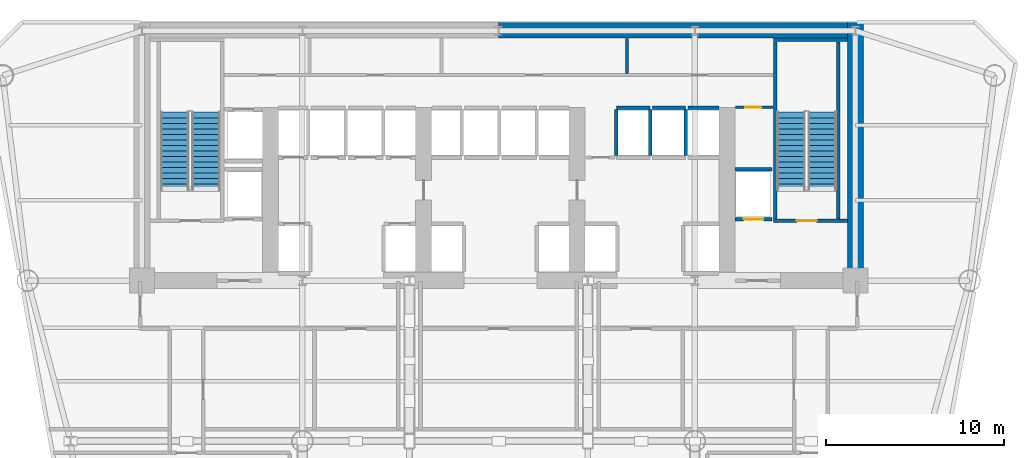
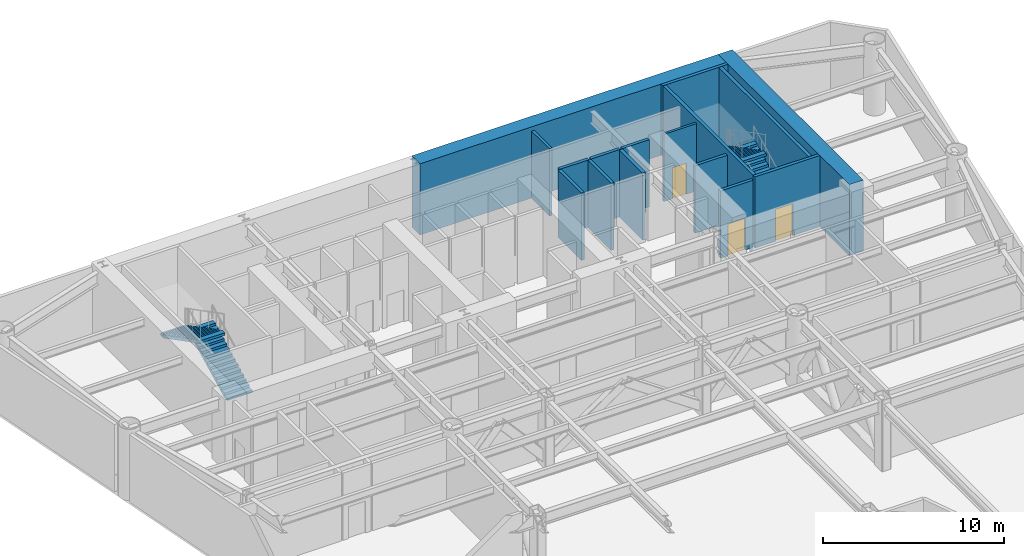
# One storey, part 6 of 10: 16 walls, 4 stair flights, 3 doors, 3 openings, 2 elements without a shape of their own.
"""IFC4 building model written with IfcOpenShell, lengths in metres."""

import ifcopenshell
import ifcopenshell.guid

model = None  # the IFC model being written
_history = None  # IfcOwnerHistory: only IFC2X3 demands one
_inside = {}  # id of a spatial element -> (the spatial element, [elements in it])
_under = {}  # id of a project, library or spatial element -> (it, [spatial elements below it])
_declared = {}  # id of a project -> (the project, [libraries it declares])
_typed = {}  # id of a type object -> (the type object, [elements of that type])
_made_of = {}  # id of a material, layer set ... -> (it, [elements and type objects made of it])


def new_model(schema):
    """Start an empty IFC model of exactly this schema.

    Asked for "IFC4X3", IfcOpenShell would pick the latest addendum, in which some entities
    have other attributes; the version numbers below select the first issue.
    IFC2X3 requires an IfcOwnerHistory on every rooted entity: one is made here for all.
    """
    global model, _history
    if schema == "IFC4X3":
        model = ifcopenshell.file(schema_version=(4, 3, 0, 0))
    else:
        model = ifcopenshell.file(schema=schema)
    _inside.clear()
    _under.clear()
    _declared.clear()
    _typed.clear()
    _made_of.clear()
    _history = None
    if model.schema == "IFC2X3":
        org = make("IfcOrganization", Name="unknown")
        user = make(
            "IfcPersonAndOrganization",
            ThePerson=make("IfcPerson", FamilyName="unknown"),
            TheOrganization=org,
        )
        app = make(
            "IfcApplication",
            ApplicationDeveloper=org,
            Version="unknown",
            ApplicationFullName="unknown",
            ApplicationIdentifier="unknown",
        )
        _history = make(
            "IfcOwnerHistory",
            OwningUser=user,
            OwningApplication=app,
            ChangeAction="ADDED",
            CreationDate=0,
        )
    return model


def make(cls, **values):
    """One entity of the class cls with the attributes given. An attribute that is None is left unset."""
    return model.create_entity(
        cls, **{name: value for name, value in values.items() if value is not None}
    )


def rooted(cls, **values):
    """An entity with a GlobalId (a new one), such as an element, a storey or a relation."""
    return make(cls, GlobalId=ifcopenshell.guid.new(), OwnerHistory=_history, **values)


def si_unit(unit_type, name, prefix=None):
    """IfcSIUnit, for example si_unit("LENGTHUNIT", "METRE", prefix="MILLI")."""
    return make("IfcSIUnit", UnitType=unit_type, Prefix=prefix, Name=name)


def assignment(units):
    """IfcUnitAssignment: the units of a project."""
    return None if units is None else make("IfcUnitAssignment", Units=units)


def point(xyz):
    """IfcCartesianPoint."""
    return None if xyz is None else make("IfcCartesianPoint", Coordinates=xyz)


def direction(xyz):
    """IfcDirection."""
    return None if xyz is None else make("IfcDirection", DirectionRatios=xyz)


def frame(location, z_axis=None, x_axis=None):
    """IfcAxis2Placement3D, a coordinate frame: its origin and axes. An axis left out is left unset."""
    return make(
        "IfcAxis2Placement3D",
        Location=point(location),
        Axis=direction(z_axis),
        RefDirection=direction(x_axis),
    )


def frame_2d(location, x_axis=None):
    """IfcAxis2Placement2D, a coordinate frame in the plane: its origin and x axis."""
    return make(
        "IfcAxis2Placement2D", Location=point(location), RefDirection=direction(x_axis)
    )


def origin():
    """The frame at (0, 0, 0) with its axes left unset."""
    return frame((0.0, 0.0, 0.0))


def place(relative_to, where):
    """IfcLocalPlacement: puts the frame where relative to a parent placement (None: the world)."""
    return make(
        "IfcLocalPlacement", PlacementRelTo=relative_to, RelativePlacement=where
    )


def context(
    kind, dimensions, precision=None, world=None, true_north=None, identifier=None
):
    """IfcGeometricRepresentationContext, for example the 3D "Model" context."""
    return make(
        "IfcGeometricRepresentationContext",
        ContextIdentifier=identifier,
        ContextType=kind,
        CoordinateSpaceDimension=dimensions,
        Precision=precision,
        WorldCoordinateSystem=world,
        TrueNorth=true_north,
    )


def subcontext(parent, identifier, kind, view, scale=None):
    """IfcGeometricRepresentationSubContext, for example "Body" below "Model"."""
    return make(
        "IfcGeometricRepresentationSubContext",
        ContextIdentifier=identifier,
        ContextType=kind,
        ParentContext=parent,
        TargetScale=scale,
        TargetView=view,
    )


def project(units=None, contexts=None):
    """IfcProject with its units and contexts."""
    return rooted(
        "IfcProject",
        Name="project",
        RepresentationContexts=contexts,
        UnitsInContext=assignment(units),
    )


def spatial(cls, under=None, at=None, **own):
    """A site, building, storey or space (cls), placed at a placement, below another one or the project."""
    s = rooted(cls, ObjectPlacement=at, **own)
    if under is not None:
        _under.setdefault(under.id(), (under, []))[1].append(s)
    return s


def polyline(points):
    """IfcPolyline through the points."""
    return make("IfcPolyline", Points=[point(p) for p in points])


def profile(cls, at=None, kind="AREA", **sizes):
    """A parametric profile (cls). Its sizes go by their IFC names, for example OverallWidth=200.0."""
    return make(cls, ProfileType=kind, Position=at, **sizes)


def rectangle(**sizes):
    """IfcRectangleProfileDef."""
    return profile("IfcRectangleProfileDef", **sizes)


def outline(outer, holes=None, kind="AREA"):
    """IfcArbitraryClosedProfileDef: a profile drawn as a closed curve; with holes, ...WithVoids."""
    if holes is None:
        return make("IfcArbitraryClosedProfileDef", ProfileType=kind, OuterCurve=outer)
    return make(
        "IfcArbitraryProfileDefWithVoids",
        ProfileType=kind,
        OuterCurve=outer,
        InnerCurves=holes,
    )


def extrude(swept, where, along, depth):
    """IfcExtrudedAreaSolid: the profile swept, set in the frame where, extruded along a direction by depth."""
    return make(
        "IfcExtrudedAreaSolid",
        SweptArea=swept,
        Position=where,
        ExtrudedDirection=direction(along),
        Depth=depth,
    )


def shape(context_of_items, identifier, shape_type, items):
    """IfcShapeRepresentation: the items that make up one representation, for example the "Body"."""
    return make(
        "IfcShapeRepresentation",
        ContextOfItems=context_of_items,
        RepresentationIdentifier=identifier,
        RepresentationType=shape_type,
        Items=items,
    )


def source(mapping_origin, context_of_items, identifier, shape_type, items):
    """IfcRepresentationMap: a shape defined once, which mapped items show again and again."""
    return make(
        "IfcRepresentationMap",
        MappingOrigin=mapping_origin,
        MappedRepresentation=shape(context_of_items, identifier, shape_type, items),
    )


def transform(
    local_origin,
    x_axis=None,
    y_axis=None,
    z_axis=None,
    scale=None,
    scale2=None,
    scale3=None,
    uniform=True,
):
    """IfcCartesianTransformationOperator3D, or its non-uniform kind. x_axis, y_axis, z_axis: its Axis1, 2, 3."""
    if uniform:
        return make(
            "IfcCartesianTransformationOperator3D",
            Axis1=direction(x_axis),
            Axis2=direction(y_axis),
            LocalOrigin=point(local_origin),
            Scale=scale,
            Axis3=direction(z_axis),
        )
    return make(
        "IfcCartesianTransformationOperator3DnonUniform",
        Axis1=direction(x_axis),
        Axis2=direction(y_axis),
        LocalOrigin=point(local_origin),
        Scale=scale,
        Axis3=direction(z_axis),
        Scale2=scale2,
        Scale3=scale3,
    )


def mapped(mapping_source, mapping_target):
    """IfcMappedItem: shows the shape of a source again, moved by a transform."""
    return make(
        "IfcMappedItem", MappingSource=mapping_source, MappingTarget=mapping_target
    )


def material(Name=None, Category=None):
    """IfcMaterial."""
    return make("IfcMaterial", Name=Name, Category=Category)


def layer(
    of_material, thickness, ventilated=None, Name=None, Category=None, Priority=None
):
    """IfcMaterialLayer: one layer of a wall or slab, of a material (None: an air gap)."""
    return make(
        "IfcMaterialLayer",
        Material=of_material,
        LayerThickness=thickness,
        IsVentilated=ventilated,
        Name=Name,
        Category=Category,
        Priority=Priority,
    )


def layer_set(layers, Name=None):
    """IfcMaterialLayerSet."""
    return make("IfcMaterialLayerSet", MaterialLayers=layers, LayerSetName=Name)


def made_of(thing, what):
    """Note that an element or type object is made of a material, layer set ...; save() writes the relation."""
    if what is not None:
        _made_of.setdefault(what.id(), (what, []))[1].append(thing)
    return thing


def type_object(cls, material=None, **own):
    """A type object (cls), such as IfcWallType, which elements share."""
    return made_of(rooted(cls, **own), material)


def element(
    cls,
    number,
    at=None,
    inside=None,
    cuts=None,
    type_object=None,
    material=None,
    context=None,
    identifier="Body",
    shape_type=None,
    held_by="IfcProductDefinitionShape",
    body=None,
    shapes=None,
    **own,
):
    """One element of the class cls, such as IfcWall. Its Tag is "e" and its number.

    at: its placement. inside: the storey or other place that contains it. cuts: it is an
    opening in that element (IfcRelVoidsElement). A single representation is given by context,
    identifier, shape_type and body (its items); several are given by shapes. held_by: the class
    of the entity that holds the representations. save() writes the other relations.
    """
    e = rooted(cls, Tag="e%d" % number, ObjectPlacement=at, **own)
    if body is not None:
        shapes = [shape(context, identifier, shape_type, body)]
    if shapes is not None:
        e.Representation = make(held_by, Representations=shapes)
    if inside is not None:
        _inside.setdefault(inside.id(), (inside, []))[1].append(e)
    if cuts is not None:
        rooted(
            "IfcRelVoidsElement", RelatingBuildingElement=cuts, RelatedOpeningElement=e
        )
    if type_object is not None:
        _typed.setdefault(type_object.id(), (type_object, []))[1].append(e)
    return made_of(e, material)


def fill(opening, filler):
    """IfcRelFillsElement: the door or window that sits in an opening."""
    return rooted(
        "IfcRelFillsElement",
        RelatingOpeningElement=opening,
        RelatedBuildingElement=filler,
    )


def aggregate(whole, parts):
    """IfcRelAggregates: a whole, such as a stair, and the parts it consists of."""
    return rooted("IfcRelAggregates", RelatingObject=whole, RelatedObjects=parts)


def save(model, path):
    """Write the relations noted so far, then the file.

    IfcRelAggregates (storeys below a building ...), IfcRelContainedInSpatialStructure (elements
    in a storey), IfcRelDefinesByType, IfcRelAssociatesMaterial and IfcRelDeclares: one each for
    every whole, place, type object, material and project.
    """
    for whole, parts in _under.values():
        aggregate(whole, parts)
    for where, things in _inside.values():
        rooted(
            "IfcRelContainedInSpatialStructure",
            RelatedElements=things,
            RelatingStructure=where,
        )
    for kind, things in _typed.values():
        rooted("IfcRelDefinesByType", RelatedObjects=things, RelatingType=kind)
    for what, things in _made_of.values():
        rooted("IfcRelAssociatesMaterial", RelatedObjects=things, RelatingMaterial=what)
    for by, libraries in _declared.values():
        rooted("IfcRelDeclares", RelatingContext=by, RelatedDefinitions=libraries)
    model.write(path)


model = new_model("IFC4")

# Units and contexts
model_context = context("Model", 3, precision=1e-05, world=origin(), true_north=direction((0.0, 1.0)))
body_context = subcontext(model_context, "Body", "Model", "MODEL_VIEW")
ifc_project = project(units=[si_unit("LENGTHUNIT", "METRE"), si_unit("AREAUNIT", "SQUARE_METRE"), si_unit("VOLUMEUNIT", "CUBIC_METRE"), si_unit("PLANEANGLEUNIT", "RADIAN"), si_unit("MASSUNIT", "GRAM", prefix="KILO")], contexts=[model_context])

# Site, building, storey
site_placement = place(None, origin())
site = spatial("IfcSite", under=ifc_project, at=site_placement, CompositionType="ELEMENT")
building_placement = place(site_placement, origin())
building = spatial("IfcBuilding", under=site, at=building_placement, Name="Vaeldorn Concourse Tower", CompositionType="ELEMENT")
storey_placement = place(building_placement, frame((0.0, 0.0, 83.39990234375)))
storey = spatial("IfcBuildingStorey", under=building, at=storey_placement, Name="L21", CompositionType="ELEMENT", Elevation=83.39990234375)

# Walls
ifc_material_1 = material(Name="Concrete C60/75", Category="concrete")
ifc_layer_1 = layer(ifc_material_1, 0.89990234375)
ifc_layer_set_1 = layer_set([ifc_layer_1], Name="Concrete C60/75")
wall_type_1 = type_object("IfcWallType", Name="WL-CORE-900", PredefinedType="SHEAR", material=ifc_layer_set_1)
wall_1_placement = place(storey_placement, frame((34.001953125, 50.550048828125, 0.0), z_axis=(0.0, 0.0, 1.0), x_axis=(1.0, 0.0, 0.0)))
element("IfcWall", 1, at=wall_1_placement, inside=storey, type_object=wall_type_1, Name="Rear Core Shear Wall L21 N2", PredefinedType="SHEAR", context=body_context, shape_type="SweptSolid", body=[
    extrude(rectangle(XDim=19.5439453125, YDim=0.89990234375, at=frame_2d((9.77197265625, 0.0))), origin(), (0.0, 0.0, 1.0), 4.800048828125),
])
wall_2_placement = place(storey_placement, frame((54.0, 36.5, 0.0), z_axis=(0.0, 0.0, 1.0), x_axis=(0.0, 1.0, 0.0)))
element("IfcWall", 2, at=wall_2_placement, inside=storey, type_object=wall_type_1, Name="Rear Core Shear Wall L21 E1", PredefinedType="SHEAR", context=body_context, shape_type="SweptSolid", body=[
    extrude(rectangle(XDim=14.5, YDim=0.89990234375, at=frame_2d((7.25, 0.0))), origin(), (0.0, 0.0, 1.0), 4.800048828125),
])

# Wall, opening, door
ifc_material_2 = material(Name="Gypsum Board Partition", Category="gypsum")
ifc_layer_2 = layer(ifc_material_2, 0.14990234375)
ifc_layer_set_2 = layer_set([ifc_layer_2], Name="Gypsum Board Partition")
wall_type_2 = type_object("IfcWallType", Name="WL-PART-150", PredefinedType="PARTITIONING", material=ifc_layer_set_2)
wall_3_placement = place(storey_placement, frame((47.280029296875, 46.219970703125, 0.0), z_axis=(0.0, 0.0, 1.0), x_axis=(1.0, 0.0, 0.0)))
wall_3 = element("IfcWall", 3, at=wall_3_placement, inside=storey, type_object=wall_type_2, Name="Interior Wall CW-L21-CRSE-N", PredefinedType="PARTITIONING", context=body_context, shape_type="SweptSolid", body=[
    extrude(rectangle(XDim=2.099853515625, YDim=0.14990234375, at=frame_2d((1.0498046875, 0.0))), origin(), (0.0, 0.0, 1.0), 4.5400390625),
])
opening_1_placement = place(wall_3_placement, frame((0.550048828125, 0.0, 0.0)))
opening_1 = element("IfcOpeningElement", 4, at=opening_1_placement, cuts=wall_3, Name="Opening D-02", PredefinedType="OPENING", context=body_context, shape_type="SweptSolid", body=[
    extrude(rectangle(XDim=0.89990234375, YDim=2.10009765625, at=frame_2d((0.449951171875, 1.050048828125))), frame((0.0, 0.0849609375, 0.0), z_axis=(0.0, -1.0, 0.0), x_axis=(1.0, 0.0, 0.0)), (0.0, 0.0, 1.0), 0.169921875),
])
ifc_material_3 = material(Name="Fire-Rated Timber Leaf", Category="wood")
door_type_1 = type_object("IfcDoorType", Name="DR-FD30-900", OperationType="NOTDEFINED", PredefinedType="DOOR", material=ifc_material_3)
shared_shape_1 = source(origin(), body_context, "Body", "SweptSolid", [
    extrude(rectangle(XDim=0.89990234375, YDim=2.10009765625, at=frame_2d((0.449951171875, 1.050048828125))), frame((0.0, 0.02490234375, 0.0), z_axis=(0.0, -1.0, 0.0), x_axis=(1.0, 0.0, 0.0)), (0.0, 0.0, 1.0), 0.050048828125),
])
door_1_placement = place(opening_1_placement, origin())
door_1 = element("IfcDoor", 5, at=door_1_placement, inside=storey, type_object=door_type_1, Name="Interior Door DR-L21-CRSE", OperationType="SINGLE_SWING_RIGHT", OverallHeight=2.10009765625, OverallWidth=0.89990234375, PredefinedType="DOOR", context=body_context, shape_type="MappedRepresentation", body=[
    mapped(shared_shape_1, transform((0.0, 0.0, 0.0), scale=1.0)),
])
fill(opening_1, door_1)

# Wall
ifc_layer_3 = layer(ifc_material_2, 0.179931640625)
ifc_layer_set_3 = layer_set([ifc_layer_3], Name="Gypsum Board Partition")
wall_type_3 = type_object("IfcWallType", Name="WL-PLUMB-180", PredefinedType="PLUMBINGWALL", material=ifc_layer_set_3)
wall_4_placement = place(storey_placement, frame((41.199951171875, 48.10009765625, 0.0), z_axis=(0.0, 0.0, 1.0), x_axis=(0.0, 1.0, 0.0)))
element("IfcWall", 6, at=wall_4_placement, inside=storey, type_object=wall_type_3, Name="Interior Wall CW-L21-NDIV3", PredefinedType="PLUMBINGWALL", context=body_context, shape_type="SweptSolid", body=[
    extrude(rectangle(XDim=1.97998046875, YDim=0.179931640625, at=frame_2d((0.989990234375, 0.0))), origin(), (0.0, 0.0, 1.0), 4.5400390625),
])

# Wall, opening, door
ifc_material_4 = material(Name="Concrete C50/60", Category="concrete")
ifc_layer_4 = layer(ifc_material_4, 0.199951171875)
ifc_layer_set_4 = layer_set([ifc_layer_4], Name="Concrete C50/60")
wall_type_4 = type_object("IfcWallType", Name="WL-SHAFT-200", PredefinedType="SOLIDWALL", material=ifc_layer_set_4)
wall_5_placement = place(storey_placement, frame((49.39990234375, 39.85009765625, 0.0), z_axis=(0.0, 0.0, 1.0), x_axis=(1.0, 0.0, 0.0)))
wall_5 = element("IfcWall", 7, at=wall_5_placement, inside=storey, type_object=wall_type_4, Name="Stair Shaft Wall CW-L21-ST-2-S", PredefinedType="SOLIDWALL", context=body_context, shape_type="SweptSolid", body=[
    extrude(rectangle(XDim=4.150146484375, YDim=0.199951171875, at=frame_2d((2.0751953125, 0.0))), origin(), (0.0, 0.0, 1.0), 4.800048828125),
])
opening_2_placement = place(wall_5_placement, frame((1.324951171875, 0.0, 0.0)))
opening_2 = element("IfcOpeningElement", 8, at=opening_2_placement, cuts=wall_5, Name="Opening D-01", PredefinedType="OPENING", context=body_context, shape_type="SweptSolid", body=[
    extrude(rectangle(XDim=1.10009765625, YDim=2.14990234375, at=frame_2d((0.550048828125, 1.074951171875))), frame((0.0, 0.10986328125, 0.0), z_axis=(0.0, -1.0, 0.0), x_axis=(1.0, 0.0, 0.0)), (0.0, 0.0, 1.0), 0.219970703125),
])
ifc_material_5 = material(Name="Fire-Rated Timber and Steel Leaf", Category="steel")
door_type_2 = type_object("IfcDoorType", Name="DR-FD60-1100", OperationType="NOTDEFINED", PredefinedType="DOOR", material=ifc_material_5)
shared_shape_2 = source(origin(), body_context, "Body", "SweptSolid", [
    extrude(rectangle(XDim=1.10009765625, YDim=2.14990234375, at=frame_2d((0.550048828125, 1.074951171875))), frame((0.0, 0.02490234375, 0.0), z_axis=(0.0, -1.0, 0.0), x_axis=(1.0, 0.0, 0.0)), (0.0, 0.0, 1.0), 0.050048828125),
])
door_2_placement = place(opening_2_placement, origin())
door_2 = element("IfcDoor", 9, at=door_2_placement, inside=storey, type_object=door_type_2, Name="Interior Door DR-L21-ST-2", OperationType="SINGLE_SWING_RIGHT", OverallHeight=2.14990234375, OverallWidth=1.10009765625, PredefinedType="DOOR", context=body_context, shape_type="MappedRepresentation", body=[
    mapped(shared_shape_2, transform((0.0, 0.0, 0.0), scale=1.0)),
])
fill(opening_2, door_2)

# Walls
wall_6_placement = place(storey_placement, frame((49.39990234375, 50.0, 0.0), z_axis=(0.0, 0.0, 1.0), x_axis=(1.0, 0.0, 0.0)))
element("IfcWall", 10, at=wall_6_placement, inside=storey, type_object=wall_type_4, Name="Stair Shaft Wall CW-L21-ST-2-N", PredefinedType="SOLIDWALL", context=body_context, shape_type="SweptSolid", body=[
    extrude(rectangle(XDim=4.150146484375, YDim=0.199951171875, at=frame_2d((2.0751953125, 0.0))), origin(), (0.0, 0.0, 1.0), 4.800048828125),
])
for number, where, z_axis, x_axis, name in (
    (11, (49.5, 39.9599609375, 0.0), (0.0, 0.0, 1.0), (0.0, 1.0, 0.0), "Stair Shaft Wall CW-L21-ST-2-W"),
    (12, (53.050048828125, 39.9599609375, 0.0), (0.0, 0.0, 1.0), (0.0, 1.0, 0.0), "Stair Shaft Wall CW-L21-ST-2-E"),
):
    element("IfcWall", number, at=place(storey_placement, frame(where, z_axis=z_axis, x_axis=x_axis)), inside=storey, type_object=wall_type_4, Name=name, PredefinedType="SOLIDWALL", context=body_context, shape_type="SweptSolid", body=[
        extrude(rectangle(XDim=9.929931640625, YDim=0.199951171875, at=frame_2d((4.96484375, 0.0))), origin(), (0.0, 0.0, 1.0), 4.800048828125),
    ])
wall_7_placement = place(storey_placement, frame((40.6201171875, 46.199951171875, 0.0), z_axis=(0.0, 0.0, 1.0), x_axis=(1.0, 0.0, 0.0)))
element("IfcWall", 13, at=wall_7_placement, inside=storey, type_object=wall_type_4, Name="Interior Wall CW-L21-LFB-LF-15", PredefinedType="SOLIDWALL", context=body_context, shape_type="SweptSolid", body=[
    extrude(rectangle(XDim=1.85986328125, YDim=0.199951171875, at=frame_2d((0.929931640625, 0.0))), origin(), (0.0, 0.0, 1.0), 4.5400390625),
])
for number, where, z_axis, x_axis, name in (
    (14, (40.60009765625, 43.52001953125, 0.0), (0.0, 0.0, 1.0), (0.0, 1.0, 0.0), "Interior Wall CW-L21-LFW-LF-15"),
    (15, (42.5, 43.52001953125, 0.0), (0.0, 0.0, 1.0), (0.0, 1.0, 0.0), "Interior Wall CW-L21-LFE-LF-15"),
):
    element("IfcWall", number, at=place(storey_placement, frame(where, z_axis=z_axis, x_axis=x_axis)), inside=storey, type_object=wall_type_4, Name=name, PredefinedType="SOLIDWALL", context=body_context, shape_type="SweptSolid", body=[
        extrude(rectangle(XDim=2.56005859375, YDim=0.199951171875, at=frame_2d((1.280029296875, 0.0))), origin(), (0.0, 0.0, 1.0), 4.5400390625),
    ])
wall_8_placement = place(storey_placement, frame((42.6201171875, 46.199951171875, 0.0), z_axis=(0.0, 0.0, 1.0), x_axis=(1.0, 0.0, 0.0)))
element("IfcWall", 16, at=wall_8_placement, inside=storey, type_object=wall_type_4, Name="Interior Wall CW-L21-LFB-LF-16", PredefinedType="SOLIDWALL", context=body_context, shape_type="SweptSolid", body=[
    extrude(rectangle(XDim=1.85986328125, YDim=0.199951171875, at=frame_2d((0.929931640625, 0.0))), origin(), (0.0, 0.0, 1.0), 4.5400390625),
])
wall_9_placement = place(storey_placement, frame((44.5, 43.52001953125, 0.0), z_axis=(0.0, 0.0, 1.0), x_axis=(0.0, 1.0, 0.0)))
element("IfcWall", 17, at=wall_9_placement, inside=storey, type_object=wall_type_4, Name="Interior Wall CW-L21-LFE-LF-16", PredefinedType="SOLIDWALL", context=body_context, shape_type="SweptSolid", body=[
    extrude(rectangle(XDim=2.56005859375, YDim=0.199951171875, at=frame_2d((1.280029296875, 0.0))), origin(), (0.0, 0.0, 1.0), 4.5400390625),
])
wall_10_placement = place(storey_placement, frame((44.6201171875, 46.199951171875, 0.0), z_axis=(0.0, 0.0, 1.0), x_axis=(1.0, 0.0, 0.0)))
element("IfcWall", 18, at=wall_10_placement, inside=storey, type_object=wall_type_4, Name="Interior Wall CW-L21-LFB-LF-17", PredefinedType="SOLIDWALL", context=body_context, shape_type="SweptSolid", body=[
    extrude(rectangle(XDim=1.719970703125, YDim=0.199951171875, at=frame_2d((0.85986328125, 0.0))), origin(), (0.0, 0.0, 1.0), 4.5400390625),
])

# Wall, opening, door
wall_11_placement = place(storey_placement, frame((47.260009765625, 39.949951171875, 0.0), z_axis=(0.0, 0.0, 1.0), x_axis=(1.0, 0.0, 0.0)))
wall_11 = element("IfcWall", 19, at=wall_11_placement, inside=storey, type_object=wall_type_4, Name="Interior Wall CW-L21-LF-LF-FF2", PredefinedType="SOLIDWALL", context=body_context, shape_type="SweptSolid", body=[
    extrude(rectangle(XDim=2.070068359375, YDim=0.199951171875, at=frame_2d((1.03515625, 0.0))), origin(), (0.0, 0.0, 1.0), 4.5400390625),
])
opening_3_placement = place(wall_11_placement, frame((0.485107421875, 0.0, 0.0)))
opening_3 = element("IfcOpeningElement", 20, at=opening_3_placement, cuts=wall_11, Name="Opening LD-1", PredefinedType="OPENING", context=body_context, shape_type="SweptSolid", body=[
    extrude(rectangle(XDim=1.10009765625, YDim=2.14990234375, at=frame_2d((0.550048828125, 1.074951171875))), frame((0.0, 0.10986328125, 0.0), z_axis=(0.0, -1.0, 0.0), x_axis=(1.0, 0.0, 0.0)), (0.0, 0.0, 1.0), 0.219970703125),
])
ifc_material_6 = material(Name="Anodised Bronze Aluminium", Category="aluminium")
door_type_3 = type_object("IfcDoorType", Name="DR-LIFT-SLIDE-1100", OperationType="DOUBLE_DOOR_SLIDING", PredefinedType="DOOR", material=ifc_material_6)
door_3_placement = place(opening_3_placement, origin())
door_3 = element("IfcDoor", 21, at=door_3_placement, inside=storey, type_object=door_type_3, Name="Lift Landing Door LD-L21-LF-FF2", OperationType="DOUBLE_DOOR_SLIDING", OverallHeight=2.14990234375, OverallWidth=1.10009765625, PredefinedType="DOOR", context=body_context, shape_type="MappedRepresentation", body=[
    mapped(shared_shape_2, transform((0.0, 0.0, 0.0), scale=1.0)),
])
fill(opening_3, door_3)

# Wall
wall_12_placement = place(storey_placement, frame((47.260009765625, 42.75, 0.0), z_axis=(0.0, 0.0, 1.0), x_axis=(1.0, 0.0, 0.0)))
element("IfcWall", 22, at=wall_12_placement, inside=storey, type_object=wall_type_4, Name="Interior Wall CW-L21-LFB-LF-FF2", PredefinedType="SOLIDWALL", context=body_context, shape_type="SweptSolid", body=[
    extrude(rectangle(XDim=2.070068359375, YDim=0.199951171875, at=frame_2d((1.03515625, 0.0))), origin(), (0.0, 0.0, 1.0), 4.5400390625),
])

# Stair, stair flights
ifc_material_7 = material(Name="Precast concrete C40/50", Category="concrete")
stair_type = type_object("IfcStairType", Name="STR-DOG-30x160", PredefinedType="HALF_TURN_STAIR", material=ifc_material_7)
stair_1_placement = place(storey_placement, origin())
stair_1 = element("IfcStair", 23, at=stair_1_placement, inside=storey, type_object=stair_type, Name="L21 West Core Exit Stair ST-1", PredefinedType="HALF_TURN_STAIR")
stair_flight_type = type_object("IfcStairFlightType", Name="STF-STR-15x160", PredefinedType="STRAIGHT", material=ifc_material_7)
stair_flight_1_placement = place(storey_placement, frame((17.60009765625, 41.60009765625, 0.0), z_axis=(0.0, 0.0, 1.0), x_axis=(0.0, 1.0, 0.0)))
stair_flight_1 = element("IfcStairFlight", 24, at=stair_flight_1_placement, type_object=stair_flight_type, Name="ST-1 flight 1", NumberOfRisers=15, NumberOfTreads=14, PredefinedType="STRAIGHT", RiserHeight=0.16, TreadLength=0.31, context=body_context, shape_type="SweptSolid", body=[
    extrude(outline(polyline([(0.0, 0.0), (0.0, 0.159912109375), (0.31005859375, 0.159912109375), (0.31005859375, 0.320068359375), (0.6201171875, 0.320068359375), (0.6201171875, 0.47998046875), (0.929931640625, 0.47998046875), (0.929931640625, 0.639892578125), (1.239990234375, 0.639892578125), (1.239990234375, 0.800048828125), (1.550048828125, 0.800048828125), (1.550048828125, 0.9599609375), (1.860107421875, 0.9599609375), (1.860107421875, 1.1201171875), (2.169921875, 1.1201171875), (2.169921875, 1.280029296875), (2.47998046875, 1.280029296875), (2.47998046875, 1.43994140625), (2.7900390625, 1.43994140625), (2.7900390625, 1.60009765625), (3.10009765625, 1.60009765625), (3.10009765625, 1.760009765625), (3.409912109375, 1.760009765625), (3.409912109375, 1.919921875), (3.719970703125, 1.919921875), (3.719970703125, 2.080078125), (4.030029296875, 2.080078125), (4.030029296875, 2.239990234375), (4.340087890625, 2.239990234375), (4.340087890625, 2.39990234375), (4.340087890625, 2.0712890625), (0.326904296875, 0.0), (0.0, 0.0)])), frame((0.0, 0.800048828125, 0.0), z_axis=(0.0, -1.0, 0.0), x_axis=(1.0, 0.0, 0.0)), (0.0, 0.0, 1.0), 1.60009765625),
])
stair_flight_2_placement = place(storey_placement, frame((15.85009765625, 45.93994140625, 2.400146484375), z_axis=(0.0, 0.0, 1.0), x_axis=(0.0, -1.0, 0.0)))
stair_flight_2 = element("IfcStairFlight", 25, at=stair_flight_2_placement, type_object=stair_flight_type, Name="ST-1 flight 2", NumberOfRisers=15, NumberOfTreads=14, PredefinedType="STRAIGHT", RiserHeight=0.16, TreadLength=0.31, context=body_context, shape_type="SweptSolid", body=[
    extrude(outline(polyline([(0.0, 0.0), (0.0, 0.159912109375), (0.31005859375, 0.159912109375), (0.31005859375, 0.320068359375), (0.6201171875, 0.320068359375), (0.6201171875, 0.47998046875), (0.929931640625, 0.47998046875), (0.929931640625, 0.639892578125), (1.239990234375, 0.639892578125), (1.239990234375, 0.800048828125), (1.550048828125, 0.800048828125), (1.550048828125, 0.9599609375), (1.860107421875, 0.9599609375), (1.860107421875, 1.1201171875), (2.169921875, 1.1201171875), (2.169921875, 1.280029296875), (2.47998046875, 1.280029296875), (2.47998046875, 1.43994140625), (2.7900390625, 1.43994140625), (2.7900390625, 1.60009765625), (3.10009765625, 1.60009765625), (3.10009765625, 1.760009765625), (3.409912109375, 1.760009765625), (3.409912109375, 1.919921875), (3.719970703125, 1.919921875), (3.719970703125, 2.080078125), (4.030029296875, 2.080078125), (4.030029296875, 2.239990234375), (4.340087890625, 2.239990234375), (4.340087890625, 2.39990234375), (4.340087890625, 2.0712890625), (0.326904296875, 0.0), (0.0, 0.0)])), frame((0.0, 0.800048828125, 0.0), z_axis=(0.0, -1.0, 0.0), x_axis=(1.0, 0.0, 0.0)), (0.0, 0.0, 1.0), 1.60009765625),
])
aggregate(stair_1, [stair_flight_1, stair_flight_2])

stair_2_placement = place(storey_placement, origin())
stair_2 = element("IfcStair", 26, at=stair_2_placement, inside=storey, type_object=stair_type, Name="L21 East Core Exit Stair ST-2", PredefinedType="HALF_TURN_STAIR")
stair_flight_3_placement = place(storey_placement, frame((52.14990234375, 41.60009765625, 0.0), z_axis=(0.0, 0.0, 1.0), x_axis=(0.0, 1.0, 0.0)))
stair_flight_3 = element("IfcStairFlight", 27, at=stair_flight_3_placement, type_object=stair_flight_type, Name="ST-2 flight 1", NumberOfRisers=15, NumberOfTreads=14, PredefinedType="STRAIGHT", RiserHeight=0.16, TreadLength=0.31, context=body_context, shape_type="SweptSolid", body=[
    extrude(outline(polyline([(0.0, 0.0), (0.0, 0.159912109375), (0.31005859375, 0.159912109375), (0.31005859375, 0.320068359375), (0.6201171875, 0.320068359375), (0.6201171875, 0.47998046875), (0.929931640625, 0.47998046875), (0.929931640625, 0.639892578125), (1.239990234375, 0.639892578125), (1.239990234375, 0.800048828125), (1.550048828125, 0.800048828125), (1.550048828125, 0.9599609375), (1.860107421875, 0.9599609375), (1.860107421875, 1.1201171875), (2.169921875, 1.1201171875), (2.169921875, 1.280029296875), (2.47998046875, 1.280029296875), (2.47998046875, 1.43994140625), (2.7900390625, 1.43994140625), (2.7900390625, 1.60009765625), (3.10009765625, 1.60009765625), (3.10009765625, 1.760009765625), (3.409912109375, 1.760009765625), (3.409912109375, 1.919921875), (3.719970703125, 1.919921875), (3.719970703125, 2.080078125), (4.030029296875, 2.080078125), (4.030029296875, 2.239990234375), (4.340087890625, 2.239990234375), (4.340087890625, 2.39990234375), (4.340087890625, 2.0712890625), (0.326904296875, 0.0), (0.0, 0.0)])), frame((0.0, 0.800048828125, 0.0), z_axis=(0.0, -1.0, 0.0), x_axis=(1.0, 0.0, 0.0)), (0.0, 0.0, 1.0), 1.60009765625),
])
stair_flight_4_placement = place(storey_placement, frame((50.39990234375, 45.93994140625, 2.400146484375), z_axis=(0.0, 0.0, 1.0), x_axis=(0.0, -1.0, 0.0)))
stair_flight_4 = element("IfcStairFlight", 28, at=stair_flight_4_placement, type_object=stair_flight_type, Name="ST-2 flight 2", NumberOfRisers=15, NumberOfTreads=14, PredefinedType="STRAIGHT", RiserHeight=0.16, TreadLength=0.31, context=body_context, shape_type="SweptSolid", body=[
    extrude(outline(polyline([(0.0, 0.0), (0.0, 0.159912109375), (0.31005859375, 0.159912109375), (0.31005859375, 0.320068359375), (0.6201171875, 0.320068359375), (0.6201171875, 0.47998046875), (0.929931640625, 0.47998046875), (0.929931640625, 0.639892578125), (1.239990234375, 0.639892578125), (1.239990234375, 0.800048828125), (1.550048828125, 0.800048828125), (1.550048828125, 0.9599609375), (1.860107421875, 0.9599609375), (1.860107421875, 1.1201171875), (2.169921875, 1.1201171875), (2.169921875, 1.280029296875), (2.47998046875, 1.280029296875), (2.47998046875, 1.43994140625), (2.7900390625, 1.43994140625), (2.7900390625, 1.60009765625), (3.10009765625, 1.60009765625), (3.10009765625, 1.760009765625), (3.409912109375, 1.760009765625), (3.409912109375, 1.919921875), (3.719970703125, 1.919921875), (3.719970703125, 2.080078125), (4.030029296875, 2.080078125), (4.030029296875, 2.239990234375), (4.340087890625, 2.239990234375), (4.340087890625, 2.39990234375), (4.340087890625, 2.0712890625), (0.326904296875, 0.0), (0.0, 0.0)])), frame((0.0, 0.800048828125, 0.0), z_axis=(0.0, -1.0, 0.0), x_axis=(1.0, 0.0, 0.0)), (0.0, 0.0, 1.0), 1.60009765625),
])
aggregate(stair_2, [stair_flight_3, stair_flight_4])

save(model, "model.ifc")
